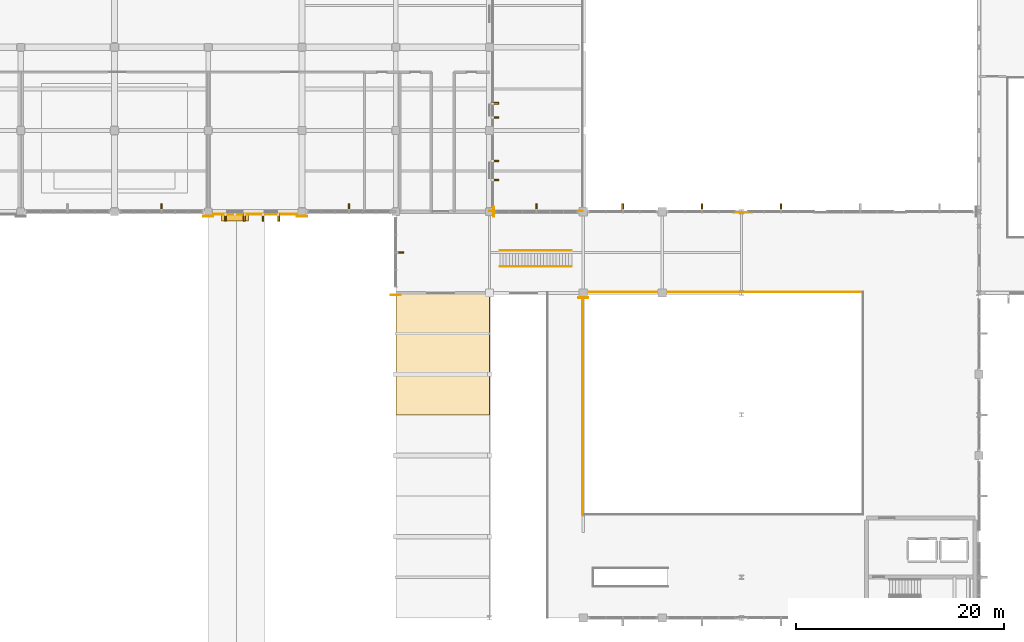
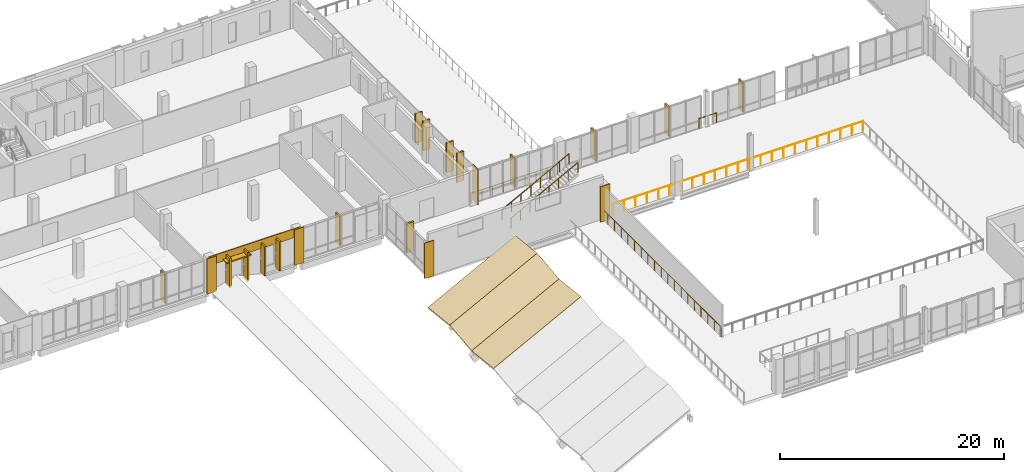
# One storey, part 60 of 64: 16 shading devices, 9 coverings, 6 railings.
"""IFC4 building model written with IfcOpenShell, lengths in metres."""

from ifc_helpers import new_model, si_unit, direction, frame, origin, origin_2d, place, context, subcontext, project, spatial, polyline, rectangle, circle, outline, extrude, material, layer, layer_set, type_object, element, save


model = new_model("IFC4")

# Units and contexts
model_context = context("Model", 3, precision=1e-05, world=origin(), true_north=direction((0.0, 1.0)))
body_context = subcontext(model_context, "Body", "Model", "MODEL_VIEW")
ifc_project = project(units=[si_unit("LENGTHUNIT", "METRE"), si_unit("AREAUNIT", "SQUARE_METRE"), si_unit("VOLUMEUNIT", "CUBIC_METRE"), si_unit("PLANEANGLEUNIT", "RADIAN"), si_unit("MASSUNIT", "GRAM", prefix="KILO")], contexts=[model_context])

# Site, building, storey
site_placement = place(None, origin())
site = spatial("IfcSite", under=ifc_project, at=site_placement, CompositionType="ELEMENT")
building_placement = place(site_placement, origin())
building = spatial("IfcBuilding", under=site, at=building_placement, Name="Vervanel Yard Central Library", CompositionType="ELEMENT")
storey_placement = place(building_placement, frame((0.0, 0.0, 8.93994140625)))
storey = spatial("IfcBuildingStorey", under=building, at=storey_placement, Name="L02", CompositionType="ELEMENT", Elevation=8.93994140625)

# Coverings
ifc_material_1 = material(Name="Precast concrete C45/55", Category="concrete")
ifc_layer_1 = layer(ifc_material_1, 0.0849609375, Category="concrete")
ifc_layer_set_1 = layer_set([ifc_layer_1], Name="Precast concrete C45/55")
covering_type_1 = type_object("IfcCoveringType", Name="Bush-Hammered Precast Architectural Cladding Panel", PredefinedType="CLADDING", material=ifc_layer_set_1)
covering_1_placement = place(storey_placement, frame((76.5, 81.9599609375, 2.91015625), z_axis=(0.0, 0.0, 1.0), x_axis=(1.0, 0.0, 0.0)))
element("IfcCovering", 1, at=covering_1_placement, inside=storey, type_object=covering_type_1, Name="L02 Precast Concrete Spandrel Cornice EWALL-L02-0041", PredefinedType="CLADDING", context=body_context, shape_type="SweptSolid", body=[
    extrude(rectangle(XDim=9.449951171875, YDim=0.0849609375, at=origin_2d()), origin(), (0.0, 0.0, 1.0), 0.949951171875),
])
for number, where, z_axis, x_axis, name in (
    (2, (72.0, 81.782470703125, 0.0), (0.0, 0.0, 1.0), (1.0, 0.0, 0.0), "L02 Precast Concrete Pier Pilaster EWALL-L02-0041-A"),
    (3, (81.0, 81.782470703125, 0.0), (0.0, 0.0, 1.0), (1.0, 0.0, 0.0), "L02 Precast Concrete Pier Pilaster EWALL-L02-0041-B"),
    (4, (99.41748046875, 82.199951171875, 0.0), (0.0, 0.0, 1.0), (0.0, 1.0, 0.0), "L02 Precast Concrete Pier Pilaster EWALL-L02-0043-A"),
    (5, (90.0, 74.20751953125, 0.0), (0.0, 0.0, 1.0), (1.0, 0.0, 0.0), "L02 Precast Concrete Pier Pilaster EWALL-L02-0160-A"),
    (6, (108.0, 73.95751953125, 0.0), (0.0, 0.0, 1.0), (1.0, 0.0, 0.0), "L02 Precast Concrete Pier Pilaster EWALL-L02-0160-B"),
):
    element("IfcCovering", number, at=place(storey_placement, frame(where, z_axis=z_axis, x_axis=x_axis)), inside=storey, type_object=covering_type_1, Name=name, PredefinedType="CLADDING", context=body_context, shape_type="SweptSolid", body=[
        extrude(rectangle(XDim=0.97998046875, YDim=0.0849609375, at=origin_2d()), origin(), (0.0, 0.0, 1.0), 3.860107421875),
    ])

# Railings
ifc_material_2 = material(Name="Brushed stainless steel AISI 316", Category="steel")
railing_type_1 = type_object("IfcRailingType", Name="Exterior Terrace Guardrail 1100", PredefinedType="GUARDRAIL", material=ifc_material_2)
railing_1_placement = place(storey_placement, frame((99.0, 82.280029296875, 0.0)))
element("IfcRailing", 7, at=railing_1_placement, inside=storey, type_object=railing_type_1, Name="L02 L02 Switchyard Overlook Roof Garden Terrace Edge Guard 24", PredefinedType="GUARDRAIL", context=body_context, shape_type="SweptSolid", body=[
    extrude(circle(Radius=0.02392578125, at=origin_2d()), frame((0.0, 0.0, 1.076171875), z_axis=(1.0, 0.0, 0.0), x_axis=(0.0, 1.0, 0.0)), (0.0, 0.0, 1.0), 8.919921875),
    extrude(circle(Radius=0.02099609375, at=origin_2d()), origin(), (0.0, 0.0, 1.0), 1.052001953125),
    extrude(circle(Radius=0.02099609375, at=origin_2d()), frame((1.114990234375, 0.0, 0.0)), (0.0, 0.0, 1.0), 1.052001953125),
    extrude(circle(Radius=0.02099609375, at=origin_2d()), frame((2.22998046875, 0.0, 0.0)), (0.0, 0.0, 1.0), 1.052001953125),
    extrude(circle(Radius=0.02099609375, at=origin_2d()), frame((3.344970703125, 0.0, 0.0)), (0.0, 0.0, 1.0), 1.052001953125),
    extrude(circle(Radius=0.02099609375, at=origin_2d()), frame((4.4599609375, 0.0, 0.0)), (0.0, 0.0, 1.0), 1.052001953125),
    extrude(circle(Radius=0.02099609375, at=origin_2d()), frame((5.574951171875, 0.0, 0.0)), (0.0, 0.0, 1.0), 1.052001953125),
    extrude(circle(Radius=0.02099609375, at=origin_2d()), frame((6.68994140625, 0.0, 0.0)), (0.0, 0.0, 1.0), 1.052001953125),
    extrude(circle(Radius=0.02099609375, at=origin_2d()), frame((7.804931640625, 0.0, 0.0)), (0.0, 0.0, 1.0), 1.052001953125),
    extrude(circle(Radius=0.02099609375, at=origin_2d()), frame((8.919921875, 0.0, 0.0)), (0.0, 0.0, 1.0), 1.052001953125),
])
railing_type_2 = type_object("IfcRailingType", Name="Glazed Atrium & Gallery Balustrade 1120", PredefinedType="BALUSTRADE", material=ifc_material_2)
railing_2_placement = place(storey_placement, frame((134.8798828125, 74.47998046875, 0.0)))
element("IfcRailing", 8, at=railing_2_placement, inside=storey, type_object=railing_type_2, Name="L02 Void Guard V3HALL-GD-L02 N", PredefinedType="BALUSTRADE", context=body_context, shape_type="SweptSolid", body=[
    extrude(circle(Radius=0.02392578125, at=origin_2d()), frame((0.0, 0.0, 1.09619140625), z_axis=(-1.0, 0.0, 0.0), x_axis=(0.0, -1.0, 0.0)), (0.0, 0.0, 1.0), 26.9599609375),
    extrude(circle(Radius=0.02099609375, at=origin_2d()), origin(), (0.0, 0.0, 1.0), 1.072021484375),
    extrude(circle(Radius=0.02099609375, at=origin_2d()), frame((-1.172119140625, 0.0, 0.0)), (0.0, 0.0, 1.0), 1.072021484375),
    extrude(circle(Radius=0.02099609375, at=origin_2d()), frame((-2.34423828125, 0.0, 0.0)), (0.0, 0.0, 1.0), 1.072021484375),
    extrude(circle(Radius=0.02099609375, at=origin_2d()), frame((-3.5166015625, 0.0, 0.0)), (0.0, 0.0, 1.0), 1.072021484375),
    extrude(circle(Radius=0.02099609375, at=origin_2d()), frame((-4.688720703125, 0.0, 0.0)), (0.0, 0.0, 1.0), 1.072021484375),
    extrude(circle(Radius=0.02099609375, at=origin_2d()), frame((-5.86083984375, 0.0, 0.0)), (0.0, 0.0, 1.0), 1.072021484375),
    extrude(circle(Radius=0.02099609375, at=origin_2d()), frame((-7.032958984375, 0.0, 0.0)), (0.0, 0.0, 1.0), 1.072021484375),
    extrude(circle(Radius=0.02099609375, at=origin_2d()), frame((-8.205322265625, 0.0, 0.0)), (0.0, 0.0, 1.0), 1.072021484375),
    extrude(circle(Radius=0.02099609375, at=origin_2d()), frame((-9.37744140625, 0.0, 0.0)), (0.0, 0.0, 1.0), 1.072021484375),
    extrude(circle(Radius=0.02099609375, at=origin_2d()), frame((-10.549560546875, 0.0, 0.0)), (0.0, 0.0, 1.0), 1.072021484375),
    extrude(circle(Radius=0.02099609375, at=origin_2d()), frame((-11.7216796875, 0.0, 0.0)), (0.0, 0.0, 1.0), 1.072021484375),
    extrude(circle(Radius=0.02099609375, at=origin_2d()), frame((-12.893798828125, 0.0, 0.0)), (0.0, 0.0, 1.0), 1.072021484375),
    extrude(circle(Radius=0.02099609375, at=origin_2d()), frame((-14.066162109375, 0.0, 0.0)), (0.0, 0.0, 1.0), 1.072021484375),
    extrude(circle(Radius=0.02099609375, at=origin_2d()), frame((-15.23828125, 0.0, 0.0)), (0.0, 0.0, 1.0), 1.072021484375),
    extrude(circle(Radius=0.02099609375, at=origin_2d()), frame((-16.410400390625, 0.0, 0.0)), (0.0, 0.0, 1.0), 1.072021484375),
    extrude(circle(Radius=0.02099609375, at=origin_2d()), frame((-17.58251953125, 0.0, 0.0)), (0.0, 0.0, 1.0), 1.072021484375),
    extrude(circle(Radius=0.02099609375, at=origin_2d()), frame((-18.754638671875, 0.0, 0.0)), (0.0, 0.0, 1.0), 1.072021484375),
    extrude(circle(Radius=0.02099609375, at=origin_2d()), frame((-19.927001953125, 0.0, 0.0)), (0.0, 0.0, 1.0), 1.072021484375),
    extrude(circle(Radius=0.02099609375, at=origin_2d()), frame((-21.09912109375, 0.0, 0.0)), (0.0, 0.0, 1.0), 1.072021484375),
    extrude(circle(Radius=0.02099609375, at=origin_2d()), frame((-22.271240234375, 0.0, 0.0)), (0.0, 0.0, 1.0), 1.072021484375),
    extrude(circle(Radius=0.02099609375, at=origin_2d()), frame((-23.443359375, 0.0, 0.0)), (0.0, 0.0, 1.0), 1.072021484375),
    extrude(circle(Radius=0.02099609375, at=origin_2d()), frame((-24.61572265625, 0.0, 0.0)), (0.0, 0.0, 1.0), 1.072021484375),
    extrude(circle(Radius=0.02099609375, at=origin_2d()), frame((-25.787841796875, 0.0, 0.0)), (0.0, 0.0, 1.0), 1.072021484375),
    extrude(circle(Radius=0.02099609375, at=origin_2d()), frame((-26.9599609375, 0.0, 0.0)), (0.0, 0.0, 1.0), 1.072021484375),
])
railing_3_placement = place(storey_placement, frame((107.919921875, 74.47998046875, 0.0)))
element("IfcRailing", 9, at=railing_3_placement, inside=storey, type_object=railing_type_2, Name="L02 Void Guard V3HALL-GD-L02 W", PredefinedType="BALUSTRADE", context=body_context, shape_type="SweptSolid", body=[
    extrude(circle(Radius=0.02392578125, at=origin_2d()), frame((0.0, 0.0, 1.09619140625), z_axis=(0.0, -1.0, 0.0), x_axis=(1.0, 0.0, 0.0)), (0.0, 0.0, 1.0), 21.35986328125),
    extrude(circle(Radius=0.02099609375, at=origin_2d()), origin(), (0.0, 0.0, 1.0), 1.072021484375),
    extrude(circle(Radius=0.02099609375, at=origin_2d()), frame((0.0, -1.186767578125, 0.0)), (0.0, 0.0, 1.0), 1.072021484375),
    extrude(circle(Radius=0.02099609375, at=origin_2d()), frame((0.0, -2.373291015625, 0.0)), (0.0, 0.0, 1.0), 1.072021484375),
    extrude(circle(Radius=0.02099609375, at=origin_2d()), frame((0.0, -3.56005859375, 0.0)), (0.0, 0.0, 1.0), 1.072021484375),
    extrude(circle(Radius=0.02099609375, at=origin_2d()), frame((0.0, -4.74658203125, 0.0)), (0.0, 0.0, 1.0), 1.072021484375),
    extrude(circle(Radius=0.02099609375, at=origin_2d()), frame((0.0, -5.933349609375, 0.0)), (0.0, 0.0, 1.0), 1.072021484375),
    extrude(circle(Radius=0.02099609375, at=origin_2d()), frame((0.0, -7.119873046875, 0.0)), (0.0, 0.0, 1.0), 1.072021484375),
    extrude(circle(Radius=0.02099609375, at=origin_2d()), frame((0.0, -8.306640625, 0.0)), (0.0, 0.0, 1.0), 1.072021484375),
    extrude(circle(Radius=0.02099609375, at=origin_2d()), frame((0.0, -9.4931640625, 0.0)), (0.0, 0.0, 1.0), 1.072021484375),
    extrude(circle(Radius=0.02099609375, at=origin_2d()), frame((0.0, -10.679931640625, 0.0)), (0.0, 0.0, 1.0), 1.072021484375),
    extrude(circle(Radius=0.02099609375, at=origin_2d()), frame((0.0, -11.86669921875, 0.0)), (0.0, 0.0, 1.0), 1.072021484375),
    extrude(circle(Radius=0.02099609375, at=origin_2d()), frame((0.0, -13.05322265625, 0.0)), (0.0, 0.0, 1.0), 1.072021484375),
    extrude(circle(Radius=0.02099609375, at=origin_2d()), frame((0.0, -14.239990234375, 0.0)), (0.0, 0.0, 1.0), 1.072021484375),
    extrude(circle(Radius=0.02099609375, at=origin_2d()), frame((0.0, -15.426513671875, 0.0)), (0.0, 0.0, 1.0), 1.072021484375),
    extrude(circle(Radius=0.02099609375, at=origin_2d()), frame((0.0, -16.61328125, 0.0)), (0.0, 0.0, 1.0), 1.072021484375),
    extrude(circle(Radius=0.02099609375, at=origin_2d()), frame((0.0, -17.7998046875, 0.0)), (0.0, 0.0, 1.0), 1.072021484375),
    extrude(circle(Radius=0.02099609375, at=origin_2d()), frame((0.0, -18.986572265625, 0.0)), (0.0, 0.0, 1.0), 1.072021484375),
    extrude(circle(Radius=0.02099609375, at=origin_2d()), frame((0.0, -20.173095703125, 0.0)), (0.0, 0.0, 1.0), 1.072021484375),
    extrude(circle(Radius=0.02099609375, at=origin_2d()), frame((0.0, -21.35986328125, 0.0)), (0.0, 0.0, 1.0), 1.072021484375),
])
railing_4_placement = place(storey_placement, frame((122.39990234375, 82.139892578125, 0.0)))
element("IfcRailing", 10, at=railing_4_placement, inside=storey, type_object=railing_type_2, Name="L02 Perimeter Gap Guard V3-L02-N-GAP2", PredefinedType="BALUSTRADE", context=body_context, shape_type="SweptSolid", body=[
    extrude(circle(Radius=0.02392578125, at=origin_2d()), frame((0.0, 0.0, 1.09619140625), z_axis=(1.0, 0.0, 0.0), x_axis=(0.0, 1.0, 0.0)), (0.0, 0.0, 1.0), 1.800048828125),
    extrude(circle(Radius=0.02099609375, at=origin_2d()), origin(), (0.0, 0.0, 1.0), 1.072021484375),
    extrude(circle(Radius=0.02099609375, at=origin_2d()), frame((0.89990234375, 0.0, 0.0)), (0.0, 0.0, 1.0), 1.072021484375),
    extrude(circle(Radius=0.02099609375, at=origin_2d()), frame((1.800048828125, 0.0, 0.0)), (0.0, 0.0, 1.0), 1.072021484375),
])

# Shading device
shading_device_type_1 = type_object("IfcShadingDeviceType", Name="Horizontal Precast Brise-Soleil Sunhood 2600x680x140", PredefinedType="JALOUSIE", material=ifc_material_1)
shading_device_placement = place(storey_placement, frame((74.550048828125, 81.659912109375, 2.97998046875), z_axis=(0.0, 0.0, 1.0), x_axis=(1.0, 0.0, 0.0)))
element("IfcShadingDevice", 11, at=shading_device_placement, inside=storey, type_object=shading_device_type_1, Name="L02 Precast Horizontal Sunhood 14", PredefinedType="JALOUSIE", context=body_context, shape_type="SweptSolid", body=[
    extrude(rectangle(XDim=2.60009765625, YDim=0.679931640625, at=origin_2d()), origin(), (0.0, 0.0, 1.0), 0.139892578125),
])

# Railings
ifc_material_3 = material(Name="Galvanized painted steelwork ASTM A500 Grade C", Category="steel")
railing_type_3 = type_object("IfcRailingType", Name="Painted Steel Guardrail 1100", PredefinedType="GUARDRAIL", material=ifc_material_3)
for number, where, name in (
    (12, (100.0, 78.47998046875, 0.16015625), "L02 Feature Stair Guard FST-04-L02 F1 L"),
    (13, (100.0, 76.919921875, 0.16015625), "L02 Feature Stair Guard FST-04-L02 F1 R"),
):
    element("IfcRailing", number, at=place(storey_placement, frame(where)), inside=storey, type_object=railing_type_3, Name=name, PredefinedType="GUARDRAIL", context=body_context, shape_type="SweptSolid", body=[
        extrude(circle(Radius=0.02392578125, at=origin_2d()), frame((0.0, 0.0, 1.076171875), z_axis=(0.88235380541, 0.0, 0.470586614852), x_axis=(0.0, 1.0, 0.0)), (0.0, 0.0, 1.0), 7.81982421875),
        extrude(circle(Radius=0.02099609375, at=origin_2d()), origin(), (0.0, 0.0, 1.0), 1.052001953125),
        extrude(circle(Radius=0.02099609375, at=origin_2d()), frame((0.985595703125, 0.0, 0.525634765625)), (0.0, 0.0, 1.0), 1.052001953125),
        extrude(circle(Radius=0.02099609375, at=origin_2d()), frame((1.971435546875, 0.0, 1.051513671875)), (0.0, 0.0, 1.0), 1.052001953125),
        extrude(circle(Radius=0.02099609375, at=origin_2d()), frame((2.95703125, 0.0, 1.5771484375)), (0.0, 0.0, 1.0), 1.052001953125),
        extrude(circle(Radius=0.02099609375, at=origin_2d()), frame((3.94287109375, 0.0, 2.102783203125)), (0.0, 0.0, 1.0), 1.052001953125),
        extrude(circle(Radius=0.02099609375, at=origin_2d()), frame((4.928466796875, 0.0, 2.62841796875)), (0.0, 0.0, 1.0), 1.052001953125),
        extrude(circle(Radius=0.02099609375, at=origin_2d()), frame((5.914306640625, 0.0, 3.154296875)), (0.0, 0.0, 1.0), 1.052001953125),
        extrude(circle(Radius=0.02099609375, at=origin_2d()), frame((6.89990234375, 0.0, 3.679931640625)), (0.0, 0.0, 1.0), 1.052001953125),
    ])

# Coverings
ifc_material_4 = material(Name="Standing-seam dark zinc-coated metal roofing", Category="metal")
ifc_layer_2 = layer(ifc_material_4, 0.06494140625, Category="metal")
ifc_layer_set_2 = layer_set([ifc_layer_2], Name="Standing-seam dark zinc-coated metal roofing")
covering_type_2 = type_object("IfcCoveringType", Name="Standing-Seam Dark Zinc Roof Assembly", PredefinedType="ROOFING", material=ifc_layer_set_2)
covering_2_placement = place(storey_placement, frame((90.0, 62.699951171875, -2.984375), z_axis=(-0.458693072844, 0.099029782554, 0.883059322522), x_axis=(0.887421517783, 1.052581e-06, 0.460958837397)))
element("IfcCovering", 14, at=covering_2_placement, inside=storey, type_object=covering_type_2, Name="Standing-Seam Zinc Roofing V3-FLK-B1-S06", PredefinedType="ROOFING", context=body_context, shape_type="SweptSolid", body=[
    extrude(outline(polyline([(0.0, 0.0), (10.141686193856135, -5.551115123125783e-17), (9.940133346494168, 3.9194019600241177), (-0.2016653861406289, 3.9194234155033048), (0.0, 0.0)])), origin(), (0.0, 0.0, -1.0), 0.06494140625),
])
covering_3_placement = place(storey_placement, frame((90.0, 66.60009765625, -3.421875), z_axis=(-0.45869279123, -0.099035921186, 0.88305878037), x_axis=(0.887421421205, 1.052634e-06, 0.460959023326)))
element("IfcCovering", 15, at=covering_3_placement, inside=storey, type_object=covering_type_2, Name="Standing-Seam Zinc Roofing V3-FLK-B1-S07", PredefinedType="ROOFING", context=body_context, shape_type="SweptSolid", body=[
    extrude(outline(polyline([(0.0, 0.0), (10.141798732657492, -5.551115123125783e-17), (10.343359871708618, 3.919158592472255), (0.2016736778751794, 3.919180049043323), (0.0, 0.0)])), origin(), (0.0, 0.0, -1.0), 0.06494140625),
])
covering_4_placement = place(storey_placement, frame((90.0, 70.5, -2.984375), z_axis=(-0.45869279123, 0.099035921186, 0.88305878037), x_axis=(0.887421517789, 1.052646e-06, 0.460958837386)))
element("IfcCovering", 16, at=covering_4_placement, inside=storey, type_object=covering_type_2, Name="Standing-Seam Zinc Roofing V3-FLK-B1-S08", PredefinedType="ROOFING", context=body_context, shape_type="SweptSolid", body=[
    extrude(outline(polyline([(0.0, 0.0), (10.141686193856135, 0.0), (9.940133346494166, 3.9191590189025214), (-0.20166538614062746, 3.9191804757116855), (0.0, 0.0)])), origin(), (0.0, 0.0, -1.0), 0.06494140625),
])

# Shading devices
shading_device_type_2 = type_object("IfcShadingDeviceType", Name="Vertical Precast Solar Fin 160x720x3200", PredefinedType="JALOUSIE", material=ifc_material_1)
for number, where, z_axis, x_axis, name in (
    (17, (67.5, 82.610107421875, 0.1552734375), (0.0, 0.0, 1.0), (1.0, 0.0, 0.0), "L02 Precast Solar Fin 113"),
    (18, (73.639892578125, 81.6298828125, 0.30029296875), (0.0, 0.0, 1.0), (1.0, 0.0, 0.0), "L02 Precast Solar Fin 114"),
    (19, (75.4599609375, 81.6298828125, 0.30029296875), (0.0, 0.0, 1.0), (1.0, 0.0, 0.0), "L02 Precast Solar Fin 115"),
    (20, (77.239990234375, 81.6298828125, 0.30029296875), (0.0, 0.0, 1.0), (1.0, 0.0, 0.0), "L02 Precast Solar Fin 116"),
    (21, (78.760009765625, 81.6298828125, 0.30029296875), (0.0, 0.0, 1.0), (1.0, 0.0, 0.0), "L02 Precast Solar Fin 117"),
    (22, (85.5, 82.610107421875, 0.1552734375), (0.0, 0.0, 1.0), (1.0, 0.0, 0.0), "L02 Precast Solar Fin 118"),
    (23, (99.550048828125, 85.239990234375, 0.39990234375), (0.0, 0.0, 1.0), (0.0, 1.0, 0.0), "L02 Precast Solar Fin 125"),
    (24, (99.550048828125, 87.06005859375, 0.39990234375), (0.0, 0.0, 1.0), (0.0, 1.0, 0.0), "L02 Precast Solar Fin 126"),
    (25, (99.550048828125, 91.239990234375, 0.22509765625), (0.0, 0.0, 1.0), (0.0, 1.0, 0.0), "L02 Precast Solar Fin 127"),
    (26, (99.550048828125, 92.610107421875, 0.22509765625), (0.0, 0.0, 1.0), (0.0, 1.0, 0.0), "L02 Precast Solar Fin 128"),
    (27, (90.409912109375, 78.300048828125, 0.1552734375), (0.0, 0.0, 1.0), (0.0, 1.0, 0.0), "L02 Precast Solar Fin 439"),
    (28, (103.5, 82.610107421875, 0.1552734375), (0.0, 0.0, 1.0), (1.0, 0.0, 0.0), "L02 Precast Solar Fin 471"),
    (29, (111.800048828125, 82.610107421875, 0.1552734375), (0.0, 0.0, 1.0), (1.0, 0.0, 0.0), "L02 Precast Solar Fin 472"),
    (30, (119.39990234375, 82.610107421875, 0.1552734375), (0.0, 0.0, 1.0), (1.0, 0.0, 0.0), "L02 Precast Solar Fin 473"),
    (31, (127.0, 82.610107421875, 0.1552734375), (0.0, 0.0, 1.0), (1.0, 0.0, 0.0), "L02 Precast Solar Fin 474"),
):
    element("IfcShadingDevice", number, at=place(storey_placement, frame(where, z_axis=z_axis, x_axis=x_axis)), inside=storey, type_object=shading_device_type_2, Name=name, PredefinedType="JALOUSIE", context=body_context, shape_type="SweptSolid", body=[
        extrude(rectangle(XDim=0.159912109375, YDim=0.719970703125, at=origin_2d()), origin(), (0.0, 0.0, 1.0), 3.199951171875),
    ])

save(model, "model.ifc")
